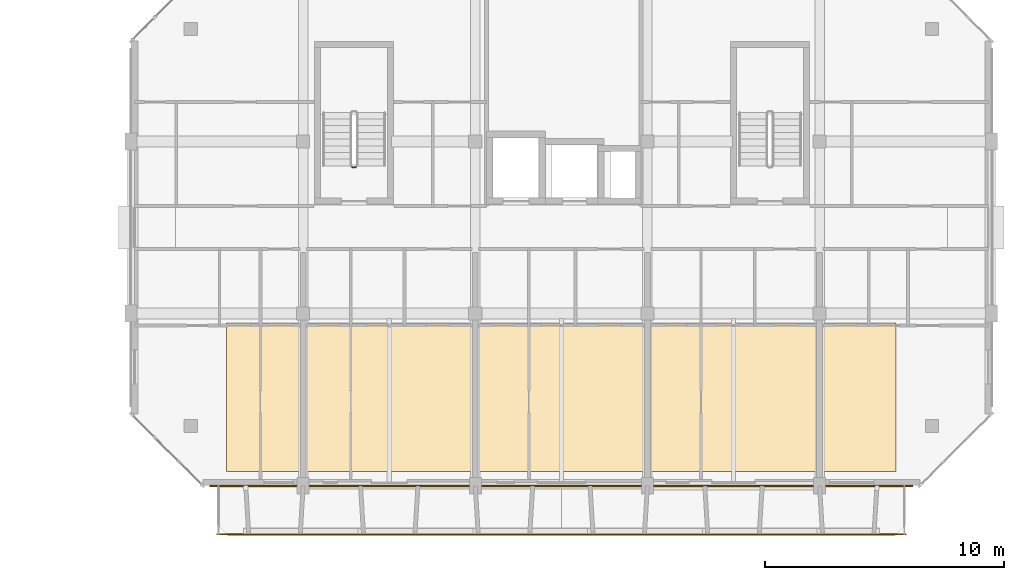
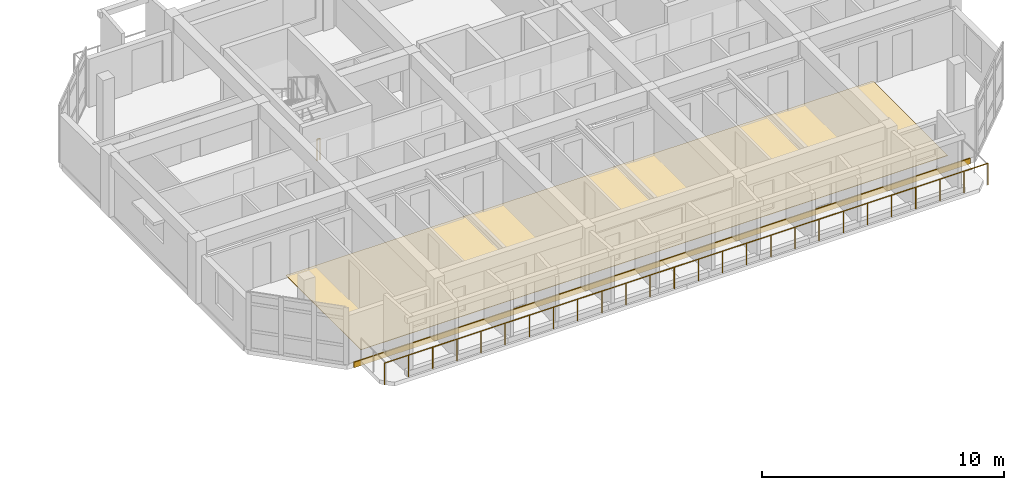
# One storey, part 39 of 43: 2 coverings, 2 railings.
"""IFC4 building model written with IfcOpenShell, lengths in metres."""

from ifc_helpers import new_model, si_unit, direction, frame, origin, origin_2d, place, context, subcontext, project, spatial, polyline, rectangle, circle, outline, extrude, material, layer, layer_set, type_object, element, save


model = new_model("IFC4")

# Units and contexts
model_context = context("Model", 3, precision=1e-05, world=origin(), true_north=direction((0.0, 1.0)))
body_context = subcontext(model_context, "Body", "Model", "MODEL_VIEW")
ifc_project = project(units=[si_unit("LENGTHUNIT", "METRE"), si_unit("AREAUNIT", "SQUARE_METRE"), si_unit("VOLUMEUNIT", "CUBIC_METRE"), si_unit("PLANEANGLEUNIT", "RADIAN"), si_unit("MASSUNIT", "GRAM", prefix="KILO")], contexts=[model_context])

# Site, building, storey
site_placement = place(None, origin())
site = spatial("IfcSite", under=ifc_project, at=site_placement, CompositionType="ELEMENT")
building_placement = place(site_placement, origin())
building = spatial("IfcBuilding", under=site, at=building_placement, Name="Ochrevale Crest", CompositionType="ELEMENT")
storey_placement = place(building_placement, frame((0.0, 0.0, 15.0)))
storey = spatial("IfcBuildingStorey", under=building, at=storey_placement, Name="L04", CompositionType="ELEMENT", Elevation=15.0)

# Coverings
ifc_material_1 = material(Name="Glazed terracotta rainscreen tile", Category="masonry")
ifc_layer_1 = layer(ifc_material_1, 0.048095703125)
ifc_layer_set_1 = layer_set([ifc_layer_1], Name="Glazed terracotta rainscreen tile")
covering_type_1 = type_object("IfcCoveringType", Name="COV-CLAD-TER", PredefinedType="CLADDING", material=ifc_layer_set_1)
covering_1_placement = place(storey_placement, frame((147.60009765625, 14.387451171875, -0.26025390625), z_axis=(0.0, 0.0, 1.0), x_axis=(1.0, 0.0, 0.0)))
element("IfcCovering", 1, at=covering_1_placement, inside=storey, type_object=covering_type_1, Name="Block C L04 terracotta slab-edge spandrel cladding", PredefinedType="CLADDING", context=body_context, shape_type="SweptSolid", body=[
    extrude(rectangle(XDim=29.39990234375, YDim=0.06005859375, at=origin_2d()), origin(), (0.0, 0.0, 1.0), 0.280029296875),
])
ifc_material_2 = material(Name="Engineered spotted-gum hardwood flooring", Category="wood")
ifc_layer_2 = layer(ifc_material_2, 0.02001953125)
ifc_layer_set_2 = layer_set([ifc_layer_2], Name="Engineered spotted-gum hardwood flooring")
covering_type_2 = type_object("IfcCoveringType", Name="COV-FLR-TIM", PredefinedType="FLOORING", material=ifc_layer_set_2)
covering_2_placement = place(storey_placement, origin())
element("IfcCovering", 2, at=covering_2_placement, inside=storey, type_object=covering_type_2, Name="Block C L04 spotted-gum apartment flooring", PredefinedType="FLOORING", context=body_context, shape_type="SweptSolid", body=[
    extrude(outline(polyline([(133.60009765625, 15.0), (161.60009765625, 15.0), (161.60009765625, 21.199951171875), (133.60009765625, 21.199951171875), (133.60009765625, 15.0)])), origin(), (0.0, 0.0, 1.0), 0.02001953125),
])

# Railings
ifc_material_3 = material(Name="Galvanised steel", Category="steel")
railing_type_1 = type_object("IfcRailingType", Name="RL-BAL-1100", PredefinedType="BALUSTRADE", material=ifc_material_3)
railing_1_placement = place(storey_placement, frame((133.199951171875, 12.360107421875, 0.0)))
element("IfcRailing", 3, at=railing_1_placement, inside=storey, type_object=railing_type_1, Name="Block C L04 S balcony front balustrade", PredefinedType="BALUSTRADE", context=body_context, shape_type="SweptSolid", body=[
    extrude(circle(Radius=0.02392578125, at=origin_2d()), frame((0.0, 0.0, 1.0859375), z_axis=(1.0, 0.0, 0.0), x_axis=(0.0, 1.0, 0.0)), (0.0, 0.0, 1.0), 28.800048828125),
    extrude(circle(Radius=0.02099609375, at=origin_2d()), origin(), (0.0, 0.0, 1.0), 1.06201171875),
    extrude(circle(Radius=0.02099609375, at=origin_2d()), frame((1.152099609375, 0.0, 0.0)), (0.0, 0.0, 1.0), 1.06201171875),
    extrude(circle(Radius=0.02099609375, at=origin_2d()), frame((2.303955078125, 0.0, 0.0)), (0.0, 0.0, 1.0), 1.06201171875),
    extrude(circle(Radius=0.02099609375, at=origin_2d()), frame((3.4560546875, 0.0, 0.0)), (0.0, 0.0, 1.0), 1.06201171875),
    extrude(circle(Radius=0.02099609375, at=origin_2d()), frame((4.60791015625, 0.0, 0.0)), (0.0, 0.0, 1.0), 1.06201171875),
    extrude(circle(Radius=0.02099609375, at=origin_2d()), frame((5.760009765625, 0.0, 0.0)), (0.0, 0.0, 1.0), 1.06201171875),
    extrude(circle(Radius=0.02099609375, at=origin_2d()), frame((6.912109375, 0.0, 0.0)), (0.0, 0.0, 1.0), 1.06201171875),
    extrude(circle(Radius=0.02099609375, at=origin_2d()), frame((8.06396484375, 0.0, 0.0)), (0.0, 0.0, 1.0), 1.06201171875),
    extrude(circle(Radius=0.02099609375, at=origin_2d()), frame((9.216064453125, 0.0, 0.0)), (0.0, 0.0, 1.0), 1.06201171875),
    extrude(circle(Radius=0.02099609375, at=origin_2d()), frame((10.367919921875, 0.0, 0.0)), (0.0, 0.0, 1.0), 1.06201171875),
    extrude(circle(Radius=0.02099609375, at=origin_2d()), frame((11.52001953125, 0.0, 0.0)), (0.0, 0.0, 1.0), 1.06201171875),
    extrude(circle(Radius=0.02099609375, at=origin_2d()), frame((12.672119140625, 0.0, 0.0)), (0.0, 0.0, 1.0), 1.06201171875),
    extrude(circle(Radius=0.02099609375, at=origin_2d()), frame((13.823974609375, 0.0, 0.0)), (0.0, 0.0, 1.0), 1.06201171875),
    extrude(circle(Radius=0.02099609375, at=origin_2d()), frame((14.97607421875, 0.0, 0.0)), (0.0, 0.0, 1.0), 1.06201171875),
    extrude(circle(Radius=0.02099609375, at=origin_2d()), frame((16.1279296875, 0.0, 0.0)), (0.0, 0.0, 1.0), 1.06201171875),
    extrude(circle(Radius=0.02099609375, at=origin_2d()), frame((17.280029296875, 0.0, 0.0)), (0.0, 0.0, 1.0), 1.06201171875),
    extrude(circle(Radius=0.02099609375, at=origin_2d()), frame((18.43212890625, 0.0, 0.0)), (0.0, 0.0, 1.0), 1.06201171875),
    extrude(circle(Radius=0.02099609375, at=origin_2d()), frame((19.583984375, 0.0, 0.0)), (0.0, 0.0, 1.0), 1.06201171875),
    extrude(circle(Radius=0.02099609375, at=origin_2d()), frame((20.736083984375, 0.0, 0.0)), (0.0, 0.0, 1.0), 1.06201171875),
    extrude(circle(Radius=0.02099609375, at=origin_2d()), frame((21.887939453125, 0.0, 0.0)), (0.0, 0.0, 1.0), 1.06201171875),
    extrude(circle(Radius=0.02099609375, at=origin_2d()), frame((23.0400390625, 0.0, 0.0)), (0.0, 0.0, 1.0), 1.06201171875),
    extrude(circle(Radius=0.02099609375, at=origin_2d()), frame((24.192138671875, 0.0, 0.0)), (0.0, 0.0, 1.0), 1.06201171875),
    extrude(circle(Radius=0.02099609375, at=origin_2d()), frame((25.343994140625, 0.0, 0.0)), (0.0, 0.0, 1.0), 1.06201171875),
    extrude(circle(Radius=0.02099609375, at=origin_2d()), frame((26.49609375, 0.0, 0.0)), (0.0, 0.0, 1.0), 1.06201171875),
    extrude(circle(Radius=0.02099609375, at=origin_2d()), frame((27.64794921875, 0.0, 0.0)), (0.0, 0.0, 1.0), 1.06201171875),
    extrude(circle(Radius=0.02099609375, at=origin_2d()), frame((28.800048828125, 0.0, 0.0)), (0.0, 0.0, 1.0), 1.06201171875),
])
railing_type_2 = type_object("IfcRailingType", Name="RL-ST-GUARD", PredefinedType="BALUSTRADE", material=ifc_material_3)
railing_2_placement = place(storey_placement, frame((139.0, 27.72509765625, 0.0)))
element("IfcRailing", 4, at=railing_2_placement, inside=storey, type_object=railing_type_2, Name="L04 ST-C1 stair guard 4", PredefinedType="BALUSTRADE", context=body_context, shape_type="SweptSolid", body=[
    extrude(circle(Radius=0.02392578125, at=origin_2d()), frame((0.0, 0.0, 1.076171875), z_axis=(-1.0, 0.0, 0.0), x_axis=(0.0, -1.0, 0.0)), (0.0, 0.0, 1.0), 0.14990234375),
    extrude(circle(Radius=0.02099609375, at=origin_2d()), origin(), (0.0, 0.0, 1.0), 1.052001953125),
    extrude(circle(Radius=0.02099609375, at=origin_2d()), frame((-0.14990234375, 0.0, 0.0)), (0.0, 0.0, 1.0), 1.052001953125),
])

save(model, "model.ifc")
